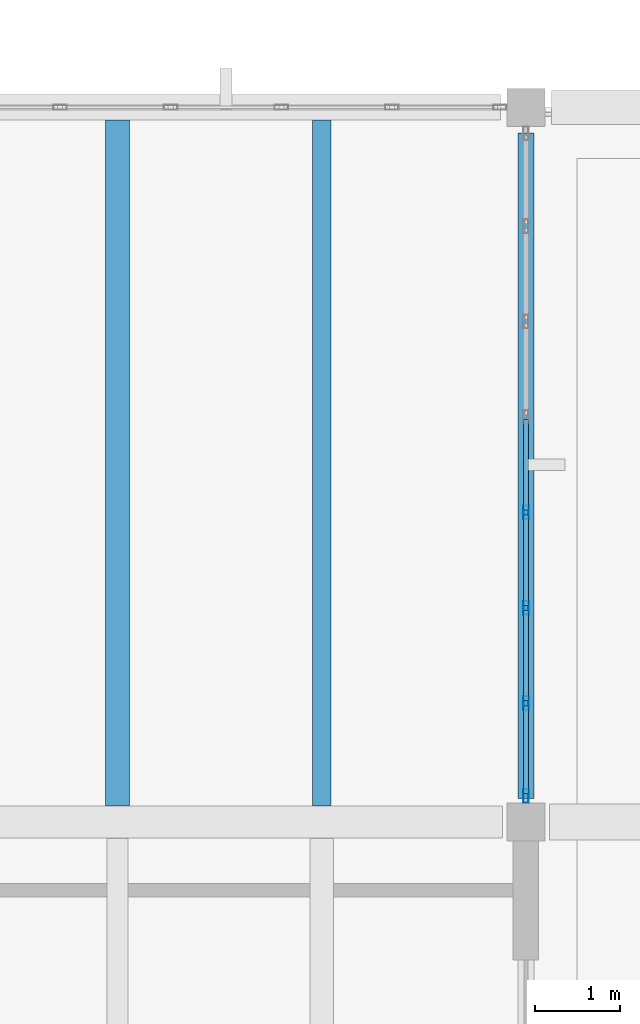
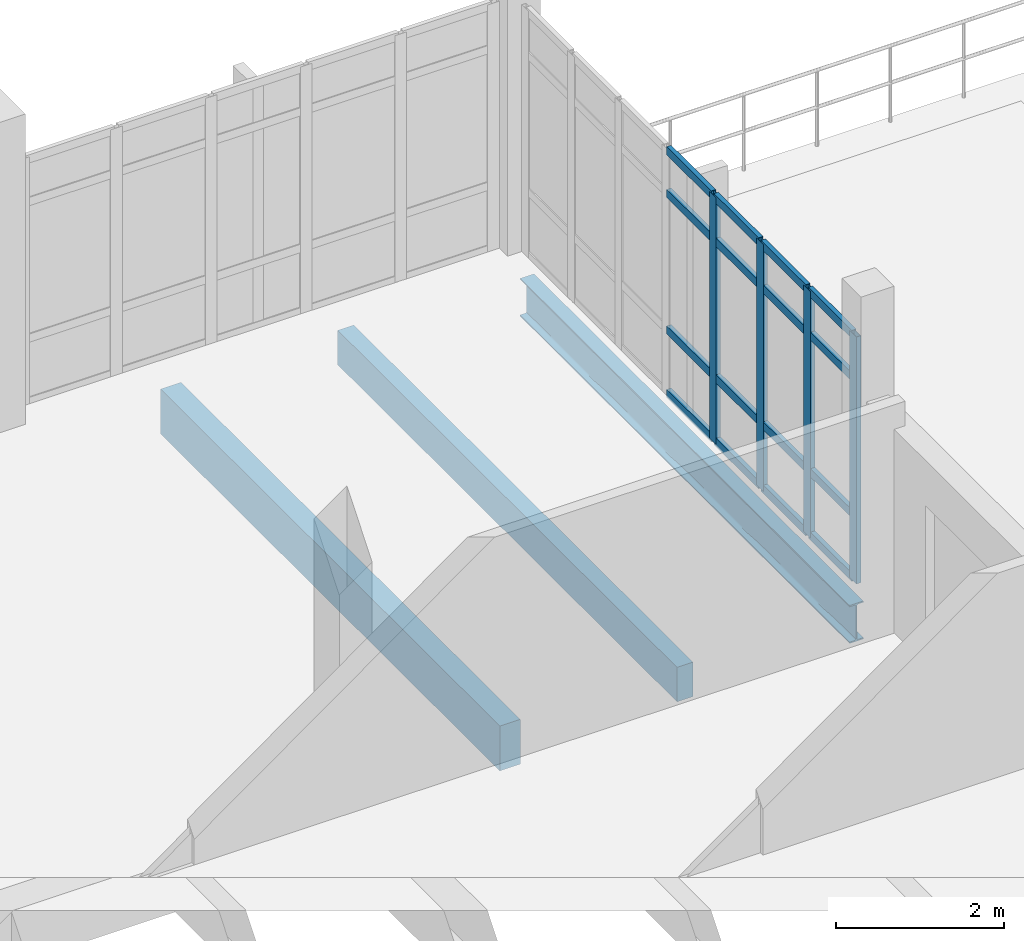
# One storey, part 40 of 62: 20 members, 3 beams, 1 element without a shape of its own.
"""IFC4 building model written with IfcOpenShell, lengths in metres."""

from ifc_helpers import new_model, si_unit, direction, frame, origin, origin_2d, place, context, subcontext, project, spatial, rectangle, hollow_rectangle, i_section, extrude, material, material_profile, profile_set, type_object, element, aggregate, save


model = new_model("IFC4")

# Units and contexts
model_context = context("Model", 3, precision=1e-05, world=origin(), true_north=direction((0.0, 1.0)))
body_context = subcontext(model_context, "Body", "Model", "MODEL_VIEW")
ifc_project = project(units=[si_unit("LENGTHUNIT", "METRE"), si_unit("AREAUNIT", "SQUARE_METRE"), si_unit("VOLUMEUNIT", "CUBIC_METRE"), si_unit("PLANEANGLEUNIT", "RADIAN"), si_unit("MASSUNIT", "GRAM", prefix="KILO")], contexts=[model_context])

# Site, building, storey
site_placement = place(None, origin())
site = spatial("IfcSite", under=ifc_project, at=site_placement, CompositionType="ELEMENT")
building_placement = place(site_placement, origin())
building = spatial("IfcBuilding", under=site, at=building_placement, Name="Kalluvel Institute of Natural Sciences", CompositionType="ELEMENT")
storey_placement = place(building_placement, frame((0.0, 0.0, 27.89990234375)))
storey = spatial("IfcBuildingStorey", under=building, at=storey_placement, Name="L06", CompositionType="ELEMENT", Elevation=27.89990234375)

# Beam
ifc_material_1 = material(Name="Steel E350 Grade 350", Category="steel")
ifc_material_profile_1 = material_profile(ifc_material_1, i_section(OverallWidth=0.18994140625, OverallDepth=0.550048828125, WebThickness=0.01123046875, FlangeThickness=0.019287109375, FilletRadius=0.01806640625, at=origin_2d()), Name="ISMB 550")
ifc_profile_set_1 = profile_set([ifc_material_profile_1], Name="Steel E350 Grade 350")
beam_type_1 = type_object("IfcBeamType", Name="BM-ISMB550", PredefinedType="BEAM", material=ifc_profile_set_1)
beam_1_placement = place(storey_placement, frame((107.60009765625, 119.875, -0.594970703125), z_axis=(0.0, 1.0, 0.0), x_axis=(-1.0, 0.0, 0.0)))
element("IfcBeam", 1, at=beam_1_placement, inside=storey, type_object=beam_type_1, Name="L06 girder GIR-L06-NS-X1076-Y1196", PredefinedType="BEAM", context=body_context, shape_type="SweptSolid", body=[
    extrude(i_section(OverallWidth=0.18994140625, OverallDepth=0.550048828125, WebThickness=0.01123046875, FlangeThickness=0.019287109375, FilletRadius=0.01806640625, at=origin_2d()), origin(), (0.0, 0.0, 1.0), 7.824951171875),
])

# Curtain wall, members
ifc_material_2 = material(Name="Aluminium AW-6063 T6", Category="aluminium")
curtain_wall_type = type_object("IfcCurtainWallType", Name="CW-WET-45", PredefinedType="USERDEFINED", material=ifc_material_2)
curtain_wall_placement = place(storey_placement, origin())
curtain_wall = element("IfcCurtainWall", 2, at=curtain_wall_placement, inside=storey, type_object=curtain_wall_type, Name="L06 Gothic lancet curtain wall CWA-L06-X1076-Y1199", ObjectType="UNITISED LANCET FACADE", PredefinedType="USERDEFINED")
ifc_material_profile_2 = material_profile(ifc_material_2, hollow_rectangle(XDim=0.06005859375, YDim=0.159912109375, WallThickness=0.00390625, at=origin_2d()), Name="CWM 60x160")
ifc_profile_set_2 = profile_set([ifc_material_profile_2], Name="Aluminium AW-6063 T6")
member_type_1 = type_object("IfcMemberType", Name="CWM-60x160", PredefinedType="MULLION", material=ifc_profile_set_2)
member_1_placement = place(storey_placement, frame((107.60009765625, 119.905029296875, 0.0), z_axis=(0.0, 0.0, 1.0), x_axis=(-1.0, 0.0, 0.0)))
member_1 = element("IfcMember", 3, at=member_1_placement, type_object=member_type_1, Name="CW-01 mullion 1", PredefinedType="MULLION", context=body_context, shape_type="SweptSolid", body=[
    extrude(hollow_rectangle(XDim=0.06005859375, YDim=0.159912109375, WallThickness=0.00390625, at=origin_2d()), origin(), (0.0, 0.0, 1.0), 3.580078125),
])
member_2_placement = place(storey_placement, frame((107.60009765625, 120.996337890625, 0.0), z_axis=(0.0, 0.0, 1.0), x_axis=(-1.0, 0.0, 0.0)))
member_2 = element("IfcMember", 4, at=member_2_placement, type_object=member_type_1, Name="CW-01 mullion 2", PredefinedType="MULLION", context=body_context, shape_type="SweptSolid", body=[
    extrude(hollow_rectangle(XDim=0.06005859375, YDim=0.159912109375, WallThickness=0.00390625, at=origin_2d()), origin(), (0.0, 0.0, 1.0), 3.580078125),
])
member_3_placement = place(storey_placement, frame((107.60009765625, 122.117919921875, 0.0), z_axis=(0.0, 0.0, 1.0), x_axis=(-1.0, 0.0, 0.0)))
member_3 = element("IfcMember", 5, at=member_3_placement, type_object=member_type_1, Name="CW-01 mullion 3", PredefinedType="MULLION", context=body_context, shape_type="SweptSolid", body=[
    extrude(hollow_rectangle(XDim=0.06005859375, YDim=0.159912109375, WallThickness=0.00390625, at=origin_2d()), origin(), (0.0, 0.0, 1.0), 3.580078125),
])
member_4_placement = place(storey_placement, frame((107.60009765625, 123.2392578125, 0.0), z_axis=(0.0, 0.0, 1.0), x_axis=(-1.0, 0.0, 0.0)))
member_4 = element("IfcMember", 6, at=member_4_placement, type_object=member_type_1, Name="CW-01 mullion 4", PredefinedType="MULLION", context=body_context, shape_type="SweptSolid", body=[
    extrude(hollow_rectangle(XDim=0.06005859375, YDim=0.159912109375, WallThickness=0.00390625, at=origin_2d()), origin(), (0.0, 0.0, 1.0), 3.580078125),
])
ifc_material_profile_3 = material_profile(ifc_material_2, hollow_rectangle(XDim=0.06005859375, YDim=0.1201171875, WallThickness=0.00390625, at=origin_2d()), Name="CWT 60x120")
ifc_profile_set_3 = profile_set([ifc_material_profile_3], Name="Aluminium AW-6063 T6")
member_type_2 = type_object("IfcMemberType", Name="CWT-60x120", PredefinedType="USERDEFINED", material=ifc_profile_set_3)
member_5_placement = place(storey_placement, frame((107.60009765625, 119.93505859375, 0.030029296875), z_axis=(0.0, 1.0, 0.0), x_axis=(-1.0, 0.0, 0.0)))
member_5 = element("IfcMember", 7, at=member_5_placement, type_object=member_type_2, Name="CW-01 transom 1.1", ObjectType="TRANSOM", PredefinedType="USERDEFINED", context=body_context, shape_type="SweptSolid", body=[
    extrude(hollow_rectangle(XDim=0.06005859375, YDim=0.1201171875, WallThickness=0.00390625, at=origin_2d()), origin(), (0.0, 0.0, 1.0), 1.03125),
])
member_6_placement = place(storey_placement, frame((107.60009765625, 119.93505859375, 0.9501953125), z_axis=(0.0, 1.0, 0.0), x_axis=(-1.0, 0.0, 0.0)))
member_6 = element("IfcMember", 8, at=member_6_placement, type_object=member_type_2, Name="CW-01 transom 1.2", ObjectType="TRANSOM", PredefinedType="USERDEFINED", context=body_context, shape_type="SweptSolid", body=[
    extrude(hollow_rectangle(XDim=0.06005859375, YDim=0.1201171875, WallThickness=0.00390625, at=origin_2d()), origin(), (0.0, 0.0, 1.0), 1.03125),
])
member_7_placement = place(storey_placement, frame((107.60009765625, 119.93505859375, 2.93017578125), z_axis=(0.0, 1.0, 0.0), x_axis=(-1.0, 0.0, 0.0)))
member_7 = element("IfcMember", 9, at=member_7_placement, type_object=member_type_2, Name="CW-01 transom 1.3", ObjectType="TRANSOM", PredefinedType="USERDEFINED", context=body_context, shape_type="SweptSolid", body=[
    extrude(hollow_rectangle(XDim=0.06005859375, YDim=0.1201171875, WallThickness=0.00390625, at=origin_2d()), origin(), (0.0, 0.0, 1.0), 1.03125),
])
member_8_placement = place(storey_placement, frame((107.60009765625, 119.93505859375, 3.550048828125), z_axis=(0.0, 1.0, 0.0), x_axis=(-1.0, 0.0, 0.0)))
member_8 = element("IfcMember", 10, at=member_8_placement, type_object=member_type_2, Name="CW-01 transom 1.4", ObjectType="TRANSOM", PredefinedType="USERDEFINED", context=body_context, shape_type="SweptSolid", body=[
    extrude(hollow_rectangle(XDim=0.06005859375, YDim=0.1201171875, WallThickness=0.00390625, at=origin_2d()), origin(), (0.0, 0.0, 1.0), 1.03125),
])
member_9_placement = place(storey_placement, frame((107.60009765625, 121.0263671875, 0.030029296875), z_axis=(0.0, 1.0, 0.0), x_axis=(-1.0, 0.0, 0.0)))
member_9 = element("IfcMember", 11, at=member_9_placement, type_object=member_type_2, Name="CW-01 transom 2.1", ObjectType="TRANSOM", PredefinedType="USERDEFINED", context=body_context, shape_type="SweptSolid", body=[
    extrude(hollow_rectangle(XDim=0.06005859375, YDim=0.1201171875, WallThickness=0.00390625, at=origin_2d()), origin(), (0.0, 0.0, 1.0), 1.0615234375),
])
member_10_placement = place(storey_placement, frame((107.60009765625, 121.0263671875, 0.9501953125), z_axis=(0.0, 1.0, 0.0), x_axis=(-1.0, 0.0, 0.0)))
member_10 = element("IfcMember", 12, at=member_10_placement, type_object=member_type_2, Name="CW-01 transom 2.2", ObjectType="TRANSOM", PredefinedType="USERDEFINED", context=body_context, shape_type="SweptSolid", body=[
    extrude(hollow_rectangle(XDim=0.06005859375, YDim=0.1201171875, WallThickness=0.00390625, at=origin_2d()), origin(), (0.0, 0.0, 1.0), 1.0615234375),
])
member_11_placement = place(storey_placement, frame((107.60009765625, 121.0263671875, 2.93017578125), z_axis=(0.0, 1.0, 0.0), x_axis=(-1.0, 0.0, 0.0)))
member_11 = element("IfcMember", 13, at=member_11_placement, type_object=member_type_2, Name="CW-01 transom 2.3", ObjectType="TRANSOM", PredefinedType="USERDEFINED", context=body_context, shape_type="SweptSolid", body=[
    extrude(hollow_rectangle(XDim=0.06005859375, YDim=0.1201171875, WallThickness=0.00390625, at=origin_2d()), origin(), (0.0, 0.0, 1.0), 1.0615234375),
])
member_12_placement = place(storey_placement, frame((107.60009765625, 121.0263671875, 3.550048828125), z_axis=(0.0, 1.0, 0.0), x_axis=(-1.0, 0.0, 0.0)))
member_12 = element("IfcMember", 14, at=member_12_placement, type_object=member_type_2, Name="CW-01 transom 2.4", ObjectType="TRANSOM", PredefinedType="USERDEFINED", context=body_context, shape_type="SweptSolid", body=[
    extrude(hollow_rectangle(XDim=0.06005859375, YDim=0.1201171875, WallThickness=0.00390625, at=origin_2d()), origin(), (0.0, 0.0, 1.0), 1.0615234375),
])
member_13_placement = place(storey_placement, frame((107.60009765625, 122.14794921875, 0.030029296875), z_axis=(0.0, 1.0, 0.0), x_axis=(-1.0, 0.0, 0.0)))
member_13 = element("IfcMember", 15, at=member_13_placement, type_object=member_type_2, Name="CW-01 transom 3.1", ObjectType="TRANSOM", PredefinedType="USERDEFINED", context=body_context, shape_type="SweptSolid", body=[
    extrude(hollow_rectangle(XDim=0.06005859375, YDim=0.1201171875, WallThickness=0.00390625, at=origin_2d()), origin(), (0.0, 0.0, 1.0), 1.061279296875),
])
member_14_placement = place(storey_placement, frame((107.60009765625, 122.14794921875, 0.9501953125), z_axis=(0.0, 1.0, 0.0), x_axis=(-1.0, 0.0, 0.0)))
member_14 = element("IfcMember", 16, at=member_14_placement, type_object=member_type_2, Name="CW-01 transom 3.2", ObjectType="TRANSOM", PredefinedType="USERDEFINED", context=body_context, shape_type="SweptSolid", body=[
    extrude(hollow_rectangle(XDim=0.06005859375, YDim=0.1201171875, WallThickness=0.00390625, at=origin_2d()), origin(), (0.0, 0.0, 1.0), 1.061279296875),
])
member_15_placement = place(storey_placement, frame((107.60009765625, 122.14794921875, 2.93017578125), z_axis=(0.0, 1.0, 0.0), x_axis=(-1.0, 0.0, 0.0)))
member_15 = element("IfcMember", 17, at=member_15_placement, type_object=member_type_2, Name="CW-01 transom 3.3", ObjectType="TRANSOM", PredefinedType="USERDEFINED", context=body_context, shape_type="SweptSolid", body=[
    extrude(hollow_rectangle(XDim=0.06005859375, YDim=0.1201171875, WallThickness=0.00390625, at=origin_2d()), origin(), (0.0, 0.0, 1.0), 1.061279296875),
])
member_16_placement = place(storey_placement, frame((107.60009765625, 122.14794921875, 3.550048828125), z_axis=(0.0, 1.0, 0.0), x_axis=(-1.0, 0.0, 0.0)))
member_16 = element("IfcMember", 18, at=member_16_placement, type_object=member_type_2, Name="CW-01 transom 3.4", ObjectType="TRANSOM", PredefinedType="USERDEFINED", context=body_context, shape_type="SweptSolid", body=[
    extrude(hollow_rectangle(XDim=0.06005859375, YDim=0.1201171875, WallThickness=0.00390625, at=origin_2d()), origin(), (0.0, 0.0, 1.0), 1.061279296875),
])
member_17_placement = place(storey_placement, frame((107.60009765625, 123.269287109375, 0.030029296875), z_axis=(0.0, 1.0, 0.0), x_axis=(-1.0, 0.0, 0.0)))
member_17 = element("IfcMember", 19, at=member_17_placement, type_object=member_type_2, Name="CW-01 transom 4.1", ObjectType="TRANSOM", PredefinedType="USERDEFINED", context=body_context, shape_type="SweptSolid", body=[
    extrude(hollow_rectangle(XDim=0.06005859375, YDim=0.1201171875, WallThickness=0.00390625, at=origin_2d()), origin(), (0.0, 0.0, 1.0), 1.0615234375),
])
member_18_placement = place(storey_placement, frame((107.60009765625, 123.269287109375, 0.9501953125), z_axis=(0.0, 1.0, 0.0), x_axis=(-1.0, 0.0, 0.0)))
member_18 = element("IfcMember", 20, at=member_18_placement, type_object=member_type_2, Name="CW-01 transom 4.2", ObjectType="TRANSOM", PredefinedType="USERDEFINED", context=body_context, shape_type="SweptSolid", body=[
    extrude(hollow_rectangle(XDim=0.06005859375, YDim=0.1201171875, WallThickness=0.00390625, at=origin_2d()), origin(), (0.0, 0.0, 1.0), 1.0615234375),
])
member_19_placement = place(storey_placement, frame((107.60009765625, 123.269287109375, 2.93017578125), z_axis=(0.0, 1.0, 0.0), x_axis=(-1.0, 0.0, 0.0)))
member_19 = element("IfcMember", 21, at=member_19_placement, type_object=member_type_2, Name="CW-01 transom 4.3", ObjectType="TRANSOM", PredefinedType="USERDEFINED", context=body_context, shape_type="SweptSolid", body=[
    extrude(hollow_rectangle(XDim=0.06005859375, YDim=0.1201171875, WallThickness=0.00390625, at=origin_2d()), origin(), (0.0, 0.0, 1.0), 1.0615234375),
])
member_20_placement = place(storey_placement, frame((107.60009765625, 123.269287109375, 3.550048828125), z_axis=(0.0, 1.0, 0.0), x_axis=(-1.0, 0.0, 0.0)))
member_20 = element("IfcMember", 22, at=member_20_placement, type_object=member_type_2, Name="CW-01 transom 4.4", ObjectType="TRANSOM", PredefinedType="USERDEFINED", context=body_context, shape_type="SweptSolid", body=[
    extrude(hollow_rectangle(XDim=0.06005859375, YDim=0.1201171875, WallThickness=0.00390625, at=origin_2d()), origin(), (0.0, 0.0, 1.0), 1.0615234375),
])
aggregate(curtain_wall, [member_1, member_2, member_3, member_4, member_5, member_6, member_7, member_8, member_9, member_10, member_11, member_12, member_13, member_14, member_15, member_16, member_17, member_18, member_19, member_20])

# Beams
ifc_material_3 = material(Name="Concrete M40", Category="concrete")
ifc_material_profile_4 = material_profile(ifc_material_3, rectangle(XDim=0.219970703125, YDim=0.5, at=origin_2d()), Name="WAF 220x500")
ifc_profile_set_4 = profile_set([ifc_material_profile_4], Name="Concrete M40")
beam_type_2 = type_object("IfcBeamType", Name="WJ-220x500", PredefinedType="JOIST", material=ifc_profile_set_4)
beam_2_placement = place(storey_placement, frame((105.199951171875, 119.7900390625, -0.56982421875), z_axis=(0.0, 1.0, 0.0), x_axis=(-1.0, 0.0, 0.0)))
element("IfcBeam", 23, at=beam_2_placement, inside=storey, type_object=beam_type_2, Name="L06 waffle joist RIB-L06-0511", PredefinedType="JOIST", context=body_context, shape_type="SweptSolid", body=[
    extrude(rectangle(XDim=0.219970703125, YDim=0.5, at=origin_2d()), origin(), (0.0, 0.0, 1.0), 8.06005859375),
])
ifc_material_4 = material(Name="Concrete M50", Category="concrete")
ifc_material_profile_5 = material_profile(ifc_material_4, rectangle(XDim=0.280029296875, YDim=0.64990234375, at=origin_2d()), Name="WAF 280x650")
ifc_profile_set_5 = profile_set([ifc_material_profile_5], Name="Concrete M50")
beam_type_3 = type_object("IfcBeamType", Name="WJ-280x650", PredefinedType="JOIST", material=ifc_profile_set_5)
beam_3_placement = place(storey_placement, frame((102.800048828125, 119.7900390625, -0.64501953125), z_axis=(0.0, 1.0, 0.0), x_axis=(-1.0, 0.0, 0.0)))
element("IfcBeam", 24, at=beam_3_placement, inside=storey, type_object=beam_type_3, Name="L06 waffle joist RIB-L06-0510", PredefinedType="JOIST", context=body_context, shape_type="SweptSolid", body=[
    extrude(rectangle(XDim=0.280029296875, YDim=0.64990234375, at=origin_2d()), origin(), (0.0, 0.0, 1.0), 8.06005859375),
])

save(model, "model.ifc")
